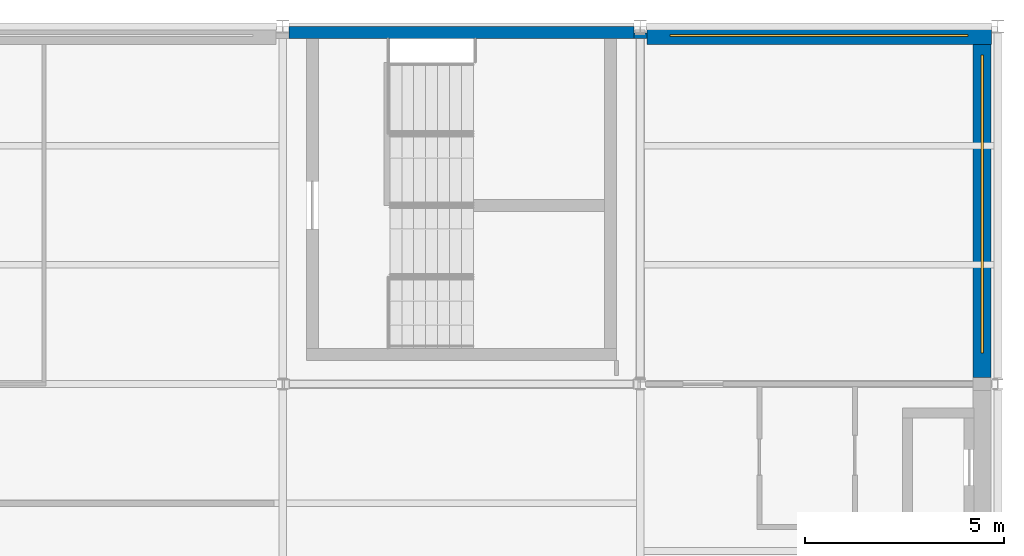
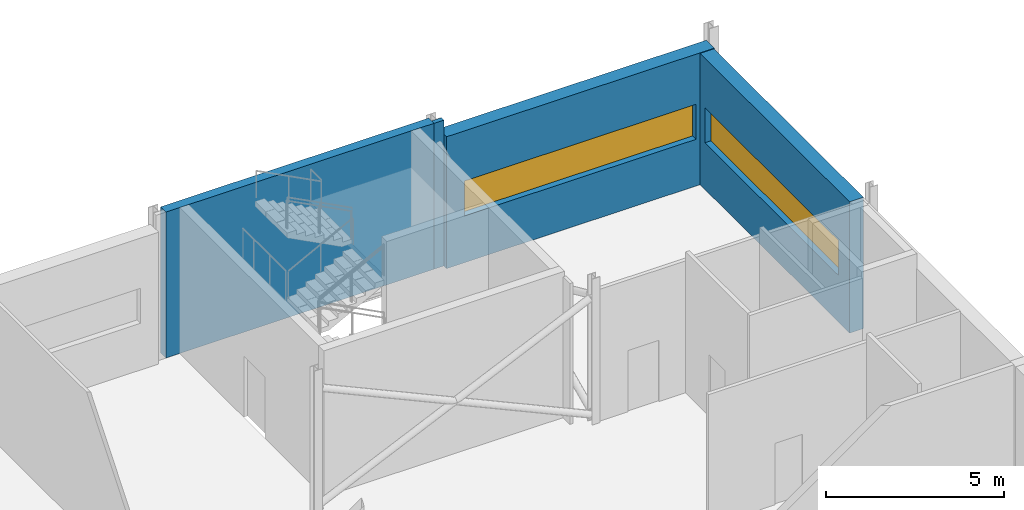
# One storey, part 53 of 61: 4 walls, 2 windows, 2 openings.
"""IFC4 building model written with IfcOpenShell, lengths in metres."""

from ifc_helpers import new_model, si_unit, direction, frame, frame_2d, origin, place, context, subcontext, project, spatial, rectangle, extrude, material, layer, layer_set, type_object, element, fill, save


model = new_model("IFC4")

# Units and contexts
model_context = context("Model", 3, precision=1e-05, world=origin(), true_north=direction((0.0, 1.0)))
body_context = subcontext(model_context, "Body", "Model", "MODEL_VIEW")
ifc_project = project(units=[si_unit("LENGTHUNIT", "METRE"), si_unit("AREAUNIT", "SQUARE_METRE"), si_unit("VOLUMEUNIT", "CUBIC_METRE"), si_unit("PLANEANGLEUNIT", "RADIAN"), si_unit("MASSUNIT", "GRAM", prefix="KILO")], contexts=[model_context])

# Site, building, storey
site_placement = place(None, origin())
site = spatial("IfcSite", under=ifc_project, at=site_placement, CompositionType="ELEMENT")
building_placement = place(site_placement, origin())
building = spatial("IfcBuilding", under=site, at=building_placement, Name="Shorebreak Coast Museum", CompositionType="ELEMENT")
storey_placement = place(building_placement, frame((0.0, 0.0, 26.0)))
storey = spatial("IfcBuildingStorey", under=building, at=storey_placement, Name="L04", CompositionType="ELEMENT", Elevation=26.0)

# Wall
ifc_material_1 = material(Name="Concrete N50 (50 MPa)", Category="concrete")
ifc_layer_1 = layer(ifc_material_1, 0.136474609375)
ifc_layer_set_1 = layer_set([ifc_layer_1], Name="Concrete N50 (50 MPa)")
wall_type_1 = type_object("IfcWallType", Name="Column closure panel 136", PredefinedType="SOLIDWALL", material=ifc_layer_set_1)
wall_1_placement = place(storey_placement, frame((107.844482421875, 116.768310546875, 0.0), z_axis=(0.0, 0.0, 1.0), x_axis=(1.0, 0.0, 0.0)))
element("IfcWall", 1, at=wall_1_placement, inside=storey, type_object=wall_type_1, Name="Column closure panel L04 N 13P", PredefinedType="SOLIDWALL", context=body_context, shape_type="SweptSolid", body=[
    extrude(rectangle(XDim=0.322021484375, YDim=0.136474609375, at=frame_2d((0.1611328125, 0.0))), origin(), (0.0, 0.0, 1.0), 5.0),
])

# Wall, opening, window
ifc_material_2 = material(Name="Concrete N50 (50 MPa)", Category="concrete")
ifc_layer_2 = layer(ifc_material_2, 0.449951171875)
ifc_layer_set_2 = layer_set([ifc_layer_2], Name="Concrete N50 (50 MPa)")
wall_type_2 = type_object("IfcWallType", Name="Deep-set precast panel 450", PredefinedType="SOLIDWALL", material=ifc_layer_set_2)
wall_2_placement = place(storey_placement, frame((108.16650390625, 116.77490234375, 0.0), z_axis=(0.0, 0.0, 1.0), x_axis=(1.0, 0.0, 0.0)))
wall_2 = element("IfcWall", 2, at=wall_2_placement, inside=storey, type_object=wall_type_2, Name="External wall L04 N 13P", PredefinedType="SOLIDWALL", context=body_context, shape_type="SweptSolid", body=[
    extrude(rectangle(XDim=8.677978515625, YDim=0.449951171875, at=frame_2d((4.3388671875, 0.0))), origin(), (0.0, 0.0, 1.0), 4.517822265625),
])
opening_1_placement = place(wall_2_placement, frame((0.58349609375, 0.0, 1.60009765625)))
opening_1 = element("IfcOpeningElement", 3, at=opening_1_placement, cuts=wall_2, Name="Opening WN4007", PredefinedType="OPENING", context=body_context, shape_type="SweptSolid", body=[
    extrude(rectangle(XDim=7.5, YDim=1.199951171875, at=frame_2d((3.75, 0.60009765625))), frame((0.0, 0.23486328125, 0.0), z_axis=(0.0, -1.0, 0.0), x_axis=(1.0, 0.0, 0.0)), (0.0, 0.0, 1.0), 0.469970703125),
])
ifc_material_3 = material(Name="Aluminium", Category="aluminium")
window_type = type_object("IfcWindowType", Name="Ribbon window 7500 x 1200", PartitioningType="SINGLE_PANEL", PredefinedType="WINDOW", material=ifc_material_3)
window_1_placement = place(opening_1_placement, origin())
window_1 = element("IfcWindow", 4, at=window_1_placement, inside=storey, type_object=window_type, Name="Window WN4007", OverallHeight=1.199951171875, OverallWidth=7.5, PartitioningType="SINGLE_PANEL", PredefinedType="WINDOW", context=body_context, shape_type="SweptSolid", body=[
    extrude(rectangle(XDim=7.5, YDim=1.199951171875, at=frame_2d((3.75, 0.60009765625))), frame((0.0, 0.030029296875, 0.0), z_axis=(0.0, -1.0, 0.0), x_axis=(1.0, 0.0, 0.0)), (0.0, 0.0, 1.0), 0.06005859375),
])
fill(opening_1, window_1)

wall_3_placement = place(storey_placement, frame((116.6064453125, 108.160888671875, 0.0), z_axis=(0.0, 0.0, 1.0), x_axis=(0.0, 1.0, 0.0)))
wall_3 = element("IfcWall", 5, at=wall_3_placement, inside=storey, type_object=wall_type_2, Name="External wall L04 E 14N", PredefinedType="SOLIDWALL", context=body_context, shape_type="SweptSolid", body=[
    extrude(rectangle(XDim=8.675537109375, YDim=0.449951171875, at=frame_2d((4.337890625, 0.0))), origin(), (0.0, 0.0, 1.0), 4.497802734375),
])
opening_2_placement = place(wall_3_placement, frame((0.6201171875, 0.0, 1.60009765625)))
opening_2 = element("IfcOpeningElement", 6, at=opening_2_placement, cuts=wall_3, Name="Opening WN4002", PredefinedType="OPENING", context=body_context, shape_type="SweptSolid", body=[
    extrude(rectangle(XDim=7.5, YDim=1.199951171875, at=frame_2d((3.75, 0.60009765625))), frame((0.0, 0.23486328125, 0.0), z_axis=(0.0, -1.0, 0.0), x_axis=(1.0, 0.0, 0.0)), (0.0, 0.0, 1.0), 0.469970703125),
])
window_2_placement = place(opening_2_placement, origin())
window_2 = element("IfcWindow", 7, at=window_2_placement, inside=storey, type_object=window_type, Name="Window WN4002", OverallHeight=1.199951171875, OverallWidth=7.5, PartitioningType="SINGLE_PANEL", PredefinedType="WINDOW", context=body_context, shape_type="SweptSolid", body=[
    extrude(rectangle(XDim=7.5, YDim=1.199951171875, at=frame_2d((3.75, 0.60009765625))), frame((0.0, 0.030029296875, 0.0), z_axis=(0.0, -1.0, 0.0), x_axis=(1.0, 0.0, 0.0)), (0.0, 0.0, 1.0), 0.06005859375),
])
fill(opening_2, window_2)

# Wall
ifc_material_4 = material(Name="Concrete N50 (50 MPa)", Category="concrete")
ifc_layer_3 = layer(ifc_material_4, 0.300048828125)
ifc_layer_set_3 = layer_set([ifc_layer_3], Name="Concrete N50 (50 MPa)")
wall_type_3 = type_object("IfcWallType", Name="RC wall 300", PredefinedType="SHEAR", material=ifc_layer_set_3)
wall_4_placement = place(storey_placement, frame((99.155517578125, 116.85009765625, 0.0), z_axis=(0.0, 0.0, 1.0), x_axis=(1.0, 0.0, 0.0)))
element("IfcWall", 8, at=wall_4_placement, inside=storey, type_object=wall_type_3, Name="Stair core wall ST10 L04 N", PredefinedType="SHEAR", context=body_context, shape_type="SweptSolid", body=[
    extrude(rectangle(XDim=8.68896484375, YDim=0.300048828125, at=frame_2d((4.344482421875, 0.0))), origin(), (0.0, 0.0, 1.0), 5.0),
])

save(model, "model.ifc")
